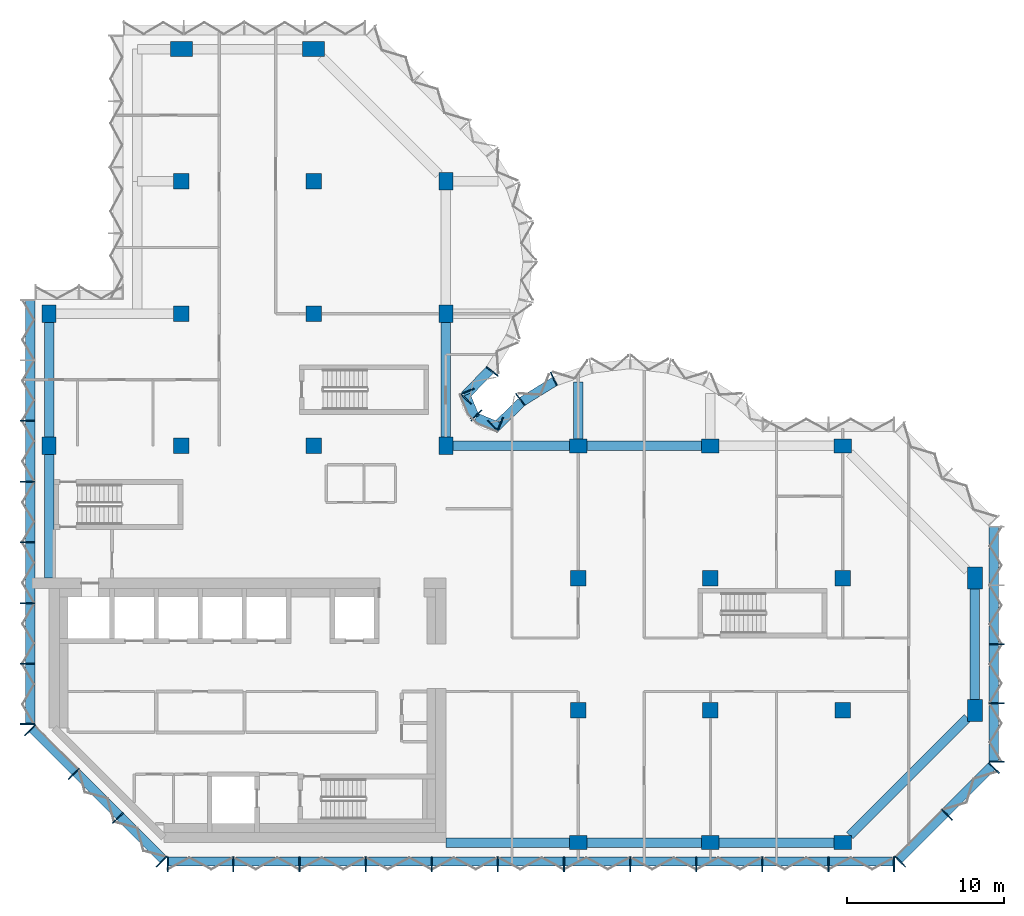
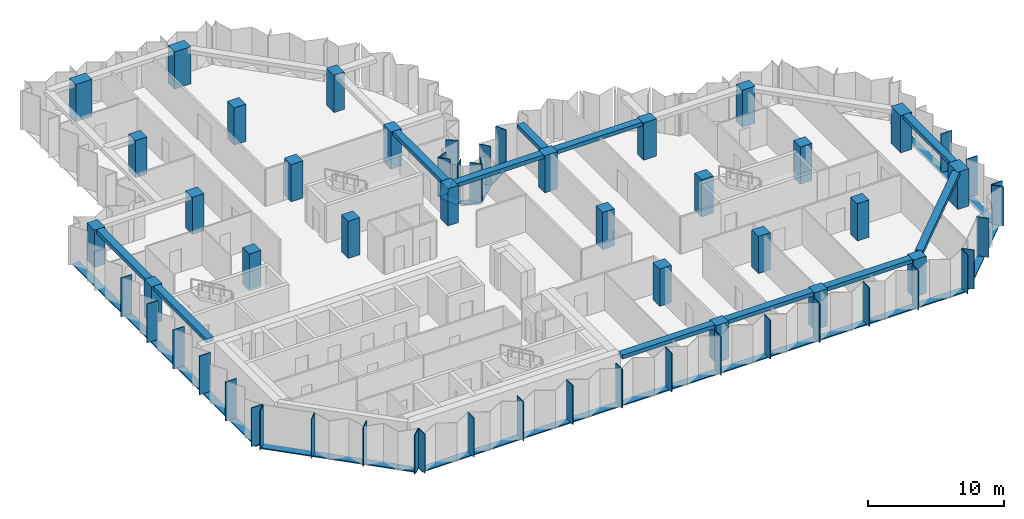
# One storey, part 1 of 10: 46 members, 27 columns, 11 beams, 8 elements without a shape of their own.
"""IFC4 building model written with IfcOpenShell, lengths in metres."""

from ifc_helpers import new_model, si_unit, direction, frame, origin, origin_2d, place, context, subcontext, project, spatial, rectangle, extrude, material, material_profile, profile_set, type_object, element, aggregate, save


model = new_model("IFC4")

# Units and contexts
model_context = context("Model", 3, precision=1e-05, world=origin(), true_north=direction((0.0, 1.0)))
body_context = subcontext(model_context, "Body", "Model", "MODEL_VIEW")
ifc_project = project(units=[si_unit("LENGTHUNIT", "METRE"), si_unit("AREAUNIT", "SQUARE_METRE"), si_unit("VOLUMEUNIT", "CUBIC_METRE"), si_unit("PLANEANGLEUNIT", "RADIAN"), si_unit("MASSUNIT", "GRAM", prefix="KILO")], contexts=[model_context])

# Site, building, storey
site_placement = place(None, origin())
site = spatial("IfcSite", under=ifc_project, at=site_placement, CompositionType="ELEMENT")
building_placement = place(site_placement, origin())
building = spatial("IfcBuilding", under=site, at=building_placement, Name="Brevane Broadcast Tower", CompositionType="ELEMENT")
storey_placement = place(building_placement, frame((0.0, 0.0, 170.39990234375)))
storey = spatial("IfcBuildingStorey", under=building, at=storey_placement, Name="L42", CompositionType="ELEMENT", Elevation=170.39990234375)

# Columns
ifc_material_1 = material(Name="Concrete C60/75", Category="concrete")
ifc_material_profile_1 = material_profile(ifc_material_1, rectangle(XDim=0.89990234375, YDim=1.10009765625, at=origin_2d()), Name="RC 900x1100")
ifc_profile_set_1 = profile_set([ifc_material_profile_1], Name="Concrete C60/75")
column_type_1 = type_object("IfcColumnType", Name="RC COLUMN EDGE 900x1100 C60/75", PredefinedType="COLUMN", material=ifc_profile_set_1)
for number, where, z_axis, x_axis, name in (
    (1, (0.0, 25.199951171875, 0.0), (0.0, 0.0, 1.0), (1.0, 0.0, 0.0), "CE11 1/D"),
    (2, (0.0, 33.60009765625, 0.0), (0.0, 0.0, 1.0), (1.0, 0.0, 0.0), "CE11 1/E"),
    (3, (25.199951171875, 25.199951171875, 0.0), (0.0, 0.0, 1.0), (1.0, 0.0, 0.0), "CE11 4/D"),
    (4, (25.199951171875, 33.60009765625, 0.0), (0.0, 0.0, 1.0), (1.0, 0.0, 0.0), "CE11 4/E"),
    (5, (25.199951171875, 42.0, 0.0), (0.0, 0.0, 1.0), (1.0, 0.0, 0.0), "CE11 4/F"),
    (6, (33.60009765625, 0.0, 0.0), (0.0, 0.0, 1.0), (0.0, 1.0, 0.0), "CE11 5/A"),
    (7, (33.60009765625, 25.199951171875, 0.0), (0.0, 0.0, 1.0), (0.0, 1.0, 0.0), "CE11 5/D"),
    (8, (42.0, 0.0, 0.0), (0.0, 0.0, 1.0), (0.0, 1.0, 0.0), "CE11 6/A"),
    (9, (42.0, 25.199951171875, 0.0), (0.0, 0.0, 1.0), (0.0, 1.0, 0.0), "CE11 6/D"),
    (10, (50.39990234375, 0.0, 0.0), (0.0, 0.0, 1.0), (0.0, 1.0, 0.0), "CE11 7/A"),
    (11, (50.39990234375, 25.199951171875, 0.0), (0.0, 0.0, 1.0), (0.0, 1.0, 0.0), "CE11 7/D"),
):
    element("IfcColumn", number, at=place(storey_placement, frame(where, z_axis=z_axis, x_axis=x_axis)), inside=storey, type_object=column_type_1, Name=name, PredefinedType="COLUMN", context=body_context, shape_type="SweptSolid", body=[
        extrude(rectangle(XDim=0.89990234375, YDim=1.10009765625, at=origin_2d()), origin(), (0.0, 0.0, 1.0), 3.35009765625),
    ])
ifc_material_profile_2 = material_profile(ifc_material_1, rectangle(XDim=1.0, YDim=1.0, at=origin_2d()), Name="RC 1000x1000")
ifc_profile_set_2 = profile_set([ifc_material_profile_2], Name="Concrete C60/75")
column_type_2 = type_object("IfcColumnType", Name="RC COLUMN INTERIOR 1000x1000 C60/75", PredefinedType="COLUMN", material=ifc_profile_set_2)
for number, where, z_axis, x_axis, name in (
    (12, (8.39990234375, 25.199951171875, 0.0), (0.0, 0.0, 1.0), (1.0, 0.0, 0.0), "CI12 2/D"),
    (13, (8.39990234375, 33.60009765625, 0.0), (0.0, 0.0, 1.0), (1.0, 0.0, 0.0), "CI12 2/E"),
    (14, (8.39990234375, 42.0, 0.0), (0.0, 0.0, 1.0), (1.0, 0.0, 0.0), "CI12 2/F"),
    (15, (16.800048828125, 25.199951171875, 0.0), (0.0, 0.0, 1.0), (1.0, 0.0, 0.0), "CI12 3/D"),
    (16, (16.800048828125, 33.60009765625, 0.0), (0.0, 0.0, 1.0), (1.0, 0.0, 0.0), "CI12 3/E"),
    (17, (16.800048828125, 42.0, 0.0), (0.0, 0.0, 1.0), (1.0, 0.0, 0.0), "CI12 3/F"),
    (18, (33.60009765625, 8.39990234375, 0.0), (0.0, 0.0, 1.0), (1.0, 0.0, 0.0), "CI12 5/B"),
    (19, (33.60009765625, 16.800048828125, 0.0), (0.0, 0.0, 1.0), (1.0, 0.0, 0.0), "CI12 5/C"),
    (20, (42.0, 8.39990234375, 0.0), (0.0, 0.0, 1.0), (1.0, 0.0, 0.0), "CI12 6/B"),
    (21, (42.0, 16.800048828125, 0.0), (0.0, 0.0, 1.0), (1.0, 0.0, 0.0), "CI12 6/C"),
    (22, (50.39990234375, 8.39990234375, 0.0), (0.0, 0.0, 1.0), (1.0, 0.0, 0.0), "CI12 7/B"),
    (23, (50.39990234375, 16.800048828125, 0.0), (0.0, 0.0, 1.0), (1.0, 0.0, 0.0), "CI12 7/C"),
):
    element("IfcColumn", number, at=place(storey_placement, frame(where, z_axis=z_axis, x_axis=x_axis)), inside=storey, type_object=column_type_2, Name=name, PredefinedType="COLUMN", context=body_context, shape_type="SweptSolid", body=[
        extrude(rectangle(XDim=1.0, YDim=1.0, at=origin_2d()), origin(), (0.0, 0.0, 1.0), 3.35009765625),
    ])
ifc_material_profile_3 = material_profile(ifc_material_1, rectangle(XDim=0.949951171875, YDim=1.39990234375, at=origin_2d()), Name="RC 950x1400")
ifc_profile_set_3 = profile_set([ifc_material_profile_3], Name="Concrete C60/75")
column_type_3 = type_object("IfcColumnType", Name="RC COLUMN WING-END 950x1400 C60/75", PredefinedType="COLUMN", material=ifc_profile_set_3)
for number, where, z_axis, x_axis, name in (
    (24, (8.39990234375, 50.39990234375, 0.0), (0.0, 0.0, 1.0), (0.0, 1.0, 0.0), "CW13 2/G"),
    (25, (16.800048828125, 50.39990234375, 0.0), (0.0, 0.0, 1.0), (0.0, 1.0, 0.0), "CW13 3/G"),
    (26, (58.800048828125, 8.39990234375, 0.0), (0.0, 0.0, 1.0), (1.0, 0.0, 0.0), "CW13 8/B"),
    (27, (58.800048828125, 16.800048828125, 0.0), (0.0, 0.0, 1.0), (1.0, 0.0, 0.0), "CW13 8/C"),
):
    element("IfcColumn", number, at=place(storey_placement, frame(where, z_axis=z_axis, x_axis=x_axis)), inside=storey, type_object=column_type_3, Name=name, PredefinedType="COLUMN", context=body_context, shape_type="SweptSolid", body=[
        extrude(rectangle(XDim=0.949951171875, YDim=1.39990234375, at=origin_2d()), origin(), (0.0, 0.0, 1.0), 3.35009765625),
    ])

# Curtain wall, members
ifc_material_2 = material(Name="Aluminium 6063-T6 bronze anodised", Category="aluminium")
curtain_wall_type = type_object("IfcCurtainWallType", Name="CW-1 curtain wall", PredefinedType="NOTDEFINED", material=ifc_material_2)
curtain_wall_1_placement = place(storey_placement, origin())
curtain_wall_1 = element("IfcCurtainWall", 28, at=curtain_wall_1_placement, inside=storey, type_object=curtain_wall_type, Name="CW-1 typical tilted unit L42 south face", PredefinedType="NOTDEFINED")
ifc_material_profile_4 = material_profile(ifc_material_2, rectangle(XDim=0.949951171875, YDim=0.070068359375, at=origin_2d()), Name="RECT 70x950")
ifc_profile_set_4 = profile_set([ifc_material_profile_4], Name="Aluminium 6063-T6 bronze anodised")
member_type_1 = type_object("IfcMemberType", Name="CW-1 mullion 70x950", PredefinedType="MULLION", material=ifc_profile_set_4)
member_1_placement = place(storey_placement, frame((7.534912109375, -1.375, -0.14990234375), z_axis=(0.0, 0.0, 1.0), x_axis=(0.0, 1.0, 0.0)))
member_1 = element("IfcMember", 29, at=member_1_placement, type_object=member_type_1, Name="CW-1 mullion", PredefinedType="MULLION", context=body_context, shape_type="SweptSolid", body=[
    extrude(rectangle(XDim=0.949951171875, YDim=0.070068359375, at=origin_2d()), origin(), (0.0, 0.0, 1.0), 3.5),
])
member_2_placement = place(storey_placement, frame((11.699951171875, -1.375, -0.14990234375), z_axis=(0.0, 0.0, 1.0), x_axis=(0.0, 1.0, 0.0)))
member_2 = element("IfcMember", 30, at=member_2_placement, type_object=member_type_1, Name="CW-1 mullion", PredefinedType="MULLION", context=body_context, shape_type="SweptSolid", body=[
    extrude(rectangle(XDim=0.949951171875, YDim=0.070068359375, at=origin_2d()), origin(), (0.0, 0.0, 1.0), 3.5),
])
member_3_placement = place(storey_placement, frame((15.89990234375, -1.375, -0.14990234375), z_axis=(0.0, 0.0, 1.0), x_axis=(0.0, 1.0, 0.0)))
member_3 = element("IfcMember", 31, at=member_3_placement, type_object=member_type_1, Name="CW-1 mullion", PredefinedType="MULLION", context=body_context, shape_type="SweptSolid", body=[
    extrude(rectangle(XDim=0.949951171875, YDim=0.070068359375, at=origin_2d()), origin(), (0.0, 0.0, 1.0), 3.5),
])
member_4_placement = place(storey_placement, frame((20.10009765625, -1.375, -0.14990234375), z_axis=(0.0, 0.0, 1.0), x_axis=(0.0, 1.0, 0.0)))
member_4 = element("IfcMember", 32, at=member_4_placement, type_object=member_type_1, Name="CW-1 mullion", PredefinedType="MULLION", context=body_context, shape_type="SweptSolid", body=[
    extrude(rectangle(XDim=0.949951171875, YDim=0.070068359375, at=origin_2d()), origin(), (0.0, 0.0, 1.0), 3.5),
])
member_5_placement = place(storey_placement, frame((24.300048828125, -1.375, -0.14990234375), z_axis=(0.0, 0.0, 1.0), x_axis=(0.0, 1.0, 0.0)))
member_5 = element("IfcMember", 33, at=member_5_placement, type_object=member_type_1, Name="CW-1 mullion", PredefinedType="MULLION", context=body_context, shape_type="SweptSolid", body=[
    extrude(rectangle(XDim=0.949951171875, YDim=0.070068359375, at=origin_2d()), origin(), (0.0, 0.0, 1.0), 3.5),
])
member_6_placement = place(storey_placement, frame((28.5, -1.375, -0.14990234375), z_axis=(0.0, 0.0, 1.0), x_axis=(0.0, 1.0, 0.0)))
member_6 = element("IfcMember", 34, at=member_6_placement, type_object=member_type_1, Name="CW-1 mullion", PredefinedType="MULLION", context=body_context, shape_type="SweptSolid", body=[
    extrude(rectangle(XDim=0.949951171875, YDim=0.070068359375, at=origin_2d()), origin(), (0.0, 0.0, 1.0), 3.5),
])
member_7_placement = place(storey_placement, frame((32.699951171875, -1.375, -0.14990234375), z_axis=(0.0, 0.0, 1.0), x_axis=(0.0, 1.0, 0.0)))
member_7 = element("IfcMember", 35, at=member_7_placement, type_object=member_type_1, Name="CW-1 mullion", PredefinedType="MULLION", context=body_context, shape_type="SweptSolid", body=[
    extrude(rectangle(XDim=0.949951171875, YDim=0.070068359375, at=origin_2d()), origin(), (0.0, 0.0, 1.0), 3.5),
])
member_8_placement = place(storey_placement, frame((36.89990234375, -1.375, -0.14990234375), z_axis=(0.0, 0.0, 1.0), x_axis=(0.0, 1.0, 0.0)))
member_8 = element("IfcMember", 36, at=member_8_placement, type_object=member_type_1, Name="CW-1 mullion", PredefinedType="MULLION", context=body_context, shape_type="SweptSolid", body=[
    extrude(rectangle(XDim=0.949951171875, YDim=0.070068359375, at=origin_2d()), origin(), (0.0, 0.0, 1.0), 3.5),
])
member_9_placement = place(storey_placement, frame((41.10009765625, -1.375, -0.14990234375), z_axis=(0.0, 0.0, 1.0), x_axis=(0.0, 1.0, 0.0)))
member_9 = element("IfcMember", 37, at=member_9_placement, type_object=member_type_1, Name="CW-1 mullion", PredefinedType="MULLION", context=body_context, shape_type="SweptSolid", body=[
    extrude(rectangle(XDim=0.949951171875, YDim=0.070068359375, at=origin_2d()), origin(), (0.0, 0.0, 1.0), 3.5),
])
member_10_placement = place(storey_placement, frame((45.300048828125, -1.375, -0.14990234375), z_axis=(0.0, 0.0, 1.0), x_axis=(0.0, 1.0, 0.0)))
member_10 = element("IfcMember", 38, at=member_10_placement, type_object=member_type_1, Name="CW-1 mullion", PredefinedType="MULLION", context=body_context, shape_type="SweptSolid", body=[
    extrude(rectangle(XDim=0.949951171875, YDim=0.070068359375, at=origin_2d()), origin(), (0.0, 0.0, 1.0), 3.5),
])
member_11_placement = place(storey_placement, frame((49.5, -1.375, -0.14990234375), z_axis=(0.0, 0.0, 1.0), x_axis=(0.0, 1.0, 0.0)))
member_11 = element("IfcMember", 39, at=member_11_placement, type_object=member_type_1, Name="CW-1 mullion", PredefinedType="MULLION", context=body_context, shape_type="SweptSolid", body=[
    extrude(rectangle(XDim=0.949951171875, YDim=0.070068359375, at=origin_2d()), origin(), (0.0, 0.0, 1.0), 3.5),
])
member_12_placement = place(storey_placement, frame((53.6650390625, -1.375, -0.14990234375), z_axis=(0.0, 0.0, 1.0), x_axis=(0.0, 1.0, 0.0)))
member_12 = element("IfcMember", 40, at=member_12_placement, type_object=member_type_1, Name="CW-1 mullion", PredefinedType="MULLION", context=body_context, shape_type="SweptSolid", body=[
    extrude(rectangle(XDim=0.949951171875, YDim=0.070068359375, at=origin_2d()), origin(), (0.0, 0.0, 1.0), 3.5),
])

curtain_wall_2_placement = place(storey_placement, origin())
curtain_wall_2 = element("IfcCurtainWall", 41, at=curtain_wall_2_placement, inside=storey, type_object=curtain_wall_type, Name="CW-1 typical tilted unit L42 south-east chamfer", PredefinedType="NOTDEFINED")
member_13_placement = place(storey_placement, frame((54.060546875, -1.211181640625, -0.14990234375), z_axis=(0.0, 0.0, 1.0), x_axis=(-0.707106781187, 0.707106781187, 0.0)))
member_13 = element("IfcMember", 42, at=member_13_placement, type_object=member_type_1, Name="CW-1 mullion", PredefinedType="MULLION", context=body_context, shape_type="SweptSolid", body=[
    extrude(rectangle(XDim=0.949951171875, YDim=0.070068359375, at=origin_2d()), origin(), (0.0, 0.0, 1.0), 3.5),
])
member_14_placement = place(storey_placement, frame((57.035888671875, 1.76416015625, -0.14990234375), z_axis=(0.0, 0.0, 1.0), x_axis=(-0.707106781187, 0.707106781187, 0.0)))
member_14 = element("IfcMember", 43, at=member_14_placement, type_object=member_type_1, Name="CW-1 mullion", PredefinedType="MULLION", context=body_context, shape_type="SweptSolid", body=[
    extrude(rectangle(XDim=0.949951171875, YDim=0.070068359375, at=origin_2d()), origin(), (0.0, 0.0, 1.0), 3.5),
])
member_15_placement = place(storey_placement, frame((60.01123046875, 4.7392578125, -0.14990234375), z_axis=(0.0, 0.0, 1.0), x_axis=(-0.707106781187, 0.707106781187, 0.0)))
member_15 = element("IfcMember", 44, at=member_15_placement, type_object=member_type_1, Name="CW-1 mullion", PredefinedType="MULLION", context=body_context, shape_type="SweptSolid", body=[
    extrude(rectangle(XDim=0.949951171875, YDim=0.070068359375, at=origin_2d()), origin(), (0.0, 0.0, 1.0), 3.5),
])

curtain_wall_3_placement = place(storey_placement, origin())
curtain_wall_3 = element("IfcCurtainWall", 45, at=curtain_wall_3_placement, inside=storey, type_object=curtain_wall_type, Name="CW-1 typical tilted unit L42 east end", PredefinedType="NOTDEFINED")
member_16_placement = place(storey_placement, frame((60.175048828125, 5.135009765625, -0.14990234375), z_axis=(0.0, 0.0, 1.0), x_axis=(-1.0, 0.0, 0.0)))
member_16 = element("IfcMember", 46, at=member_16_placement, type_object=member_type_1, Name="CW-1 mullion", PredefinedType="MULLION", context=body_context, shape_type="SweptSolid", body=[
    extrude(rectangle(XDim=0.949951171875, YDim=0.070068359375, at=origin_2d()), origin(), (0.0, 0.0, 1.0), 3.5),
])
member_17_placement = place(storey_placement, frame((60.175048828125, 8.85009765625, -0.14990234375), z_axis=(0.0, 0.0, 1.0), x_axis=(-1.0, 0.0, 0.0)))
member_17 = element("IfcMember", 47, at=member_17_placement, type_object=member_type_1, Name="CW-1 mullion", PredefinedType="MULLION", context=body_context, shape_type="SweptSolid", body=[
    extrude(rectangle(XDim=0.949951171875, YDim=0.070068359375, at=origin_2d()), origin(), (0.0, 0.0, 1.0), 3.5),
])
member_18_placement = place(storey_placement, frame((60.175048828125, 12.60009765625, -0.14990234375), z_axis=(0.0, 0.0, 1.0), x_axis=(-1.0, 0.0, 0.0)))
member_18 = element("IfcMember", 48, at=member_18_placement, type_object=member_type_1, Name="CW-1 mullion", PredefinedType="MULLION", context=body_context, shape_type="SweptSolid", body=[
    extrude(rectangle(XDim=0.949951171875, YDim=0.070068359375, at=origin_2d()), origin(), (0.0, 0.0, 1.0), 3.5),
])

curtain_wall_4_placement = place(storey_placement, origin())
curtain_wall_4 = element("IfcCurtainWall", 49, at=curtain_wall_4_placement, inside=storey, type_object=curtain_wall_type, Name="CW-1 typical tilted unit L42 east bow", PredefinedType="NOTDEFINED")
member_19_placement = place(storey_placement, frame((32.05322265625, 29.4580078125, -0.14990234375), z_axis=(0.0, 0.0, 1.0), x_axis=(0.429933580394, -0.902860518823, 0.0)))
member_19 = element("IfcMember", 50, at=member_19_placement, type_object=member_type_1, Name="CW-1 mullion", PredefinedType="MULLION", context=body_context, shape_type="SweptSolid", body=[
    extrude(rectangle(XDim=0.949951171875, YDim=0.070068359375, at=origin_2d()), origin(), (0.0, 0.0, 1.0), 3.5),
])
member_20_placement = place(storey_placement, frame((29.927978515625, 28.1455078125, -0.14990234375), z_axis=(0.0, 0.0, 1.0), x_axis=(0.614769698862, -0.788706673841, 0.0)))
member_20 = element("IfcMember", 51, at=member_20_placement, type_object=member_type_1, Name="CW-1 mullion", PredefinedType="MULLION", context=body_context, shape_type="SweptSolid", body=[
    extrude(rectangle(XDim=0.949951171875, YDim=0.070068359375, at=origin_2d()), origin(), (0.0, 0.0, 1.0), 3.5),
])
member_21_placement = place(storey_placement, frame((28.194091796875, 26.465087890625, -0.14990234375), z_axis=(0.0, 0.0, 1.0), x_axis=(0.696812089895, -0.717253728729, 0.0)))
member_21 = element("IfcMember", 52, at=member_21_placement, type_object=member_type_1, Name="CW-1 mullion", PredefinedType="MULLION", context=body_context, shape_type="SweptSolid", body=[
    extrude(rectangle(XDim=0.949951171875, YDim=0.070068359375, at=origin_2d()), origin(), (0.0, 0.0, 1.0), 3.5),
])

curtain_wall_5_placement = place(storey_placement, origin())
curtain_wall_5 = element("IfcCurtainWall", 53, at=curtain_wall_5_placement, inside=storey, type_object=curtain_wall_type, Name="CW-1 typical tilted unit L42 inner corner", PredefinedType="NOTDEFINED")
member_22_placement = place(storey_placement, frame((28.6494140625, 26.55224609375, -0.14990234375), z_axis=(0.0, 0.0, 1.0), x_axis=(-0.382683432365, -0.923879532511, 0.0)))
member_22 = element("IfcMember", 54, at=member_22_placement, type_object=member_type_1, Name="CW-1 mullion", PredefinedType="MULLION", context=body_context, shape_type="SweptSolid", body=[
    extrude(rectangle(XDim=0.949951171875, YDim=0.070068359375, at=origin_2d()), origin(), (0.0, 0.0, 1.0), 3.5),
])
member_23_placement = place(storey_placement, frame((27.138916015625, 27.138916015625, -0.14990234375), z_axis=(0.0, 0.0, 1.0), x_axis=(-0.707106781187, -0.707106781187, 0.0)))
member_23 = element("IfcMember", 55, at=member_23_placement, type_object=member_type_1, Name="CW-1 mullion", PredefinedType="MULLION", context=body_context, shape_type="SweptSolid", body=[
    extrude(rectangle(XDim=0.949951171875, YDim=0.070068359375, at=origin_2d()), origin(), (0.0, 0.0, 1.0), 3.5),
])
member_24_placement = place(storey_placement, frame((26.55224609375, 28.6494140625, -0.14990234375), z_axis=(0.0, 0.0, 1.0), x_axis=(-0.923879532511, -0.382683432365, 0.0)))
member_24 = element("IfcMember", 56, at=member_24_placement, type_object=member_type_1, Name="CW-1 mullion", PredefinedType="MULLION", context=body_context, shape_type="SweptSolid", body=[
    extrude(rectangle(XDim=0.949951171875, YDim=0.070068359375, at=origin_2d()), origin(), (0.0, 0.0, 1.0), 3.5),
])

curtain_wall_6_placement = place(storey_placement, origin())
curtain_wall_6 = element("IfcCurtainWall", 57, at=curtain_wall_6_placement, inside=storey, type_object=curtain_wall_type, Name="CW-1 typical tilted unit L42 north bow", PredefinedType="NOTDEFINED")
member_25_placement = place(storey_placement, frame((26.465087890625, 28.194091796875, -0.14990234375), z_axis=(0.0, 0.0, 1.0), x_axis=(-0.717253728729, 0.696812089895, 0.0)))
member_25 = element("IfcMember", 58, at=member_25_placement, type_object=member_type_1, Name="CW-1 mullion", PredefinedType="MULLION", context=body_context, shape_type="SweptSolid", body=[
    extrude(rectangle(XDim=0.949951171875, YDim=0.070068359375, at=origin_2d()), origin(), (0.0, 0.0, 1.0), 3.5),
])
member_26_placement = place(storey_placement, frame((28.1455078125, 29.927978515625, -0.14990234375), z_axis=(0.0, 0.0, 1.0), x_axis=(-0.788706673841, 0.614769698862, 0.0)))
member_26 = element("IfcMember", 59, at=member_26_placement, type_object=member_type_1, Name="CW-1 mullion", PredefinedType="MULLION", context=body_context, shape_type="SweptSolid", body=[
    extrude(rectangle(XDim=0.949951171875, YDim=0.070068359375, at=origin_2d()), origin(), (0.0, 0.0, 1.0), 3.5),
])

curtain_wall_7_placement = place(storey_placement, origin())
curtain_wall_7 = element("IfcCurtainWall", 60, at=curtain_wall_7_placement, inside=storey, type_object=curtain_wall_type, Name="CW-1 typical tilted unit L42 west face", PredefinedType="NOTDEFINED")
member_27_placement = place(storey_placement, frame((-1.375, 26.78564453125, -0.14990234375), z_axis=(0.0, 0.0, 1.0), x_axis=(1.0, 0.0, 0.0)))
member_27 = element("IfcMember", 61, at=member_27_placement, type_object=member_type_1, Name="CW-1 mullion", PredefinedType="MULLION", context=body_context, shape_type="SweptSolid", body=[
    extrude(rectangle(XDim=0.949951171875, YDim=0.070068359375, at=origin_2d()), origin(), (0.0, 0.0, 1.0), 3.5),
])
member_28_placement = place(storey_placement, frame((-1.375, 22.928466796875, -0.14990234375), z_axis=(0.0, 0.0, 1.0), x_axis=(1.0, 0.0, 0.0)))
member_28 = element("IfcMember", 62, at=member_28_placement, type_object=member_type_1, Name="CW-1 mullion", PredefinedType="MULLION", context=body_context, shape_type="SweptSolid", body=[
    extrude(rectangle(XDim=0.949951171875, YDim=0.070068359375, at=origin_2d()), origin(), (0.0, 0.0, 1.0), 3.5),
])
member_29_placement = place(storey_placement, frame((-1.375, 19.071533203125, -0.14990234375), z_axis=(0.0, 0.0, 1.0), x_axis=(1.0, 0.0, 0.0)))
member_29 = element("IfcMember", 63, at=member_29_placement, type_object=member_type_1, Name="CW-1 mullion", PredefinedType="MULLION", context=body_context, shape_type="SweptSolid", body=[
    extrude(rectangle(XDim=0.949951171875, YDim=0.070068359375, at=origin_2d()), origin(), (0.0, 0.0, 1.0), 3.5),
])
member_30_placement = place(storey_placement, frame((-1.375, 15.21435546875, -0.14990234375), z_axis=(0.0, 0.0, 1.0), x_axis=(1.0, 0.0, 0.0)))
member_30 = element("IfcMember", 64, at=member_30_placement, type_object=member_type_1, Name="CW-1 mullion", PredefinedType="MULLION", context=body_context, shape_type="SweptSolid", body=[
    extrude(rectangle(XDim=0.949951171875, YDim=0.070068359375, at=origin_2d()), origin(), (0.0, 0.0, 1.0), 3.5),
])
member_31_placement = place(storey_placement, frame((-1.375, 11.357177734375, -0.14990234375), z_axis=(0.0, 0.0, 1.0), x_axis=(1.0, 0.0, 0.0)))
member_31 = element("IfcMember", 65, at=member_31_placement, type_object=member_type_1, Name="CW-1 mullion", PredefinedType="MULLION", context=body_context, shape_type="SweptSolid", body=[
    extrude(rectangle(XDim=0.949951171875, YDim=0.070068359375, at=origin_2d()), origin(), (0.0, 0.0, 1.0), 3.5),
])
member_32_placement = place(storey_placement, frame((-1.375, 7.534912109375, -0.14990234375), z_axis=(0.0, 0.0, 1.0), x_axis=(1.0, 0.0, 0.0)))
member_32 = element("IfcMember", 66, at=member_32_placement, type_object=member_type_1, Name="CW-1 mullion", PredefinedType="MULLION", context=body_context, shape_type="SweptSolid", body=[
    extrude(rectangle(XDim=0.949951171875, YDim=0.070068359375, at=origin_2d()), origin(), (0.0, 0.0, 1.0), 3.5),
])

curtain_wall_8_placement = place(storey_placement, origin())
curtain_wall_8 = element("IfcCurtainWall", 67, at=curtain_wall_8_placement, inside=storey, type_object=curtain_wall_type, Name="CW-1 typical tilted unit L42 south-west chamfer", PredefinedType="NOTDEFINED")
member_33_placement = place(storey_placement, frame((-1.211181640625, 7.139404296875, -0.14990234375), z_axis=(0.0, 0.0, 1.0), x_axis=(0.707106781187, 0.707106781187, 0.0)))
member_33 = element("IfcMember", 68, at=member_33_placement, type_object=member_type_1, Name="CW-1 mullion", PredefinedType="MULLION", context=body_context, shape_type="SweptSolid", body=[
    extrude(rectangle(XDim=0.949951171875, YDim=0.070068359375, at=origin_2d()), origin(), (0.0, 0.0, 1.0), 3.5),
])
member_34_placement = place(storey_placement, frame((1.564208984375, 4.364013671875, -0.14990234375), z_axis=(0.0, 0.0, 1.0), x_axis=(0.707106781187, 0.707106781187, 0.0)))
member_34 = element("IfcMember", 69, at=member_34_placement, type_object=member_type_1, Name="CW-1 mullion", PredefinedType="MULLION", context=body_context, shape_type="SweptSolid", body=[
    extrude(rectangle(XDim=0.949951171875, YDim=0.070068359375, at=origin_2d()), origin(), (0.0, 0.0, 1.0), 3.5),
])
member_35_placement = place(storey_placement, frame((4.364013671875, 1.564208984375, -0.14990234375), z_axis=(0.0, 0.0, 1.0), x_axis=(0.707106781187, 0.707106781187, 0.0)))
member_35 = element("IfcMember", 70, at=member_35_placement, type_object=member_type_1, Name="CW-1 mullion", PredefinedType="MULLION", context=body_context, shape_type="SweptSolid", body=[
    extrude(rectangle(XDim=0.949951171875, YDim=0.070068359375, at=origin_2d()), origin(), (0.0, 0.0, 1.0), 3.5),
])
member_36_placement = place(storey_placement, frame((7.139404296875, -1.211181640625, -0.14990234375), z_axis=(0.0, 0.0, 1.0), x_axis=(0.707106781187, 0.707106781187, 0.0)))
member_36 = element("IfcMember", 71, at=member_36_placement, type_object=member_type_1, Name="CW-1 mullion", PredefinedType="MULLION", context=body_context, shape_type="SweptSolid", body=[
    extrude(rectangle(XDim=0.949951171875, YDim=0.070068359375, at=origin_2d()), origin(), (0.0, 0.0, 1.0), 3.5),
])

# Member
ifc_material_profile_5 = material_profile(ifc_material_2, rectangle(XDim=0.60009765625, YDim=0.10009765625, at=origin_2d()), Name="RECT 100x600")
ifc_profile_set_5 = profile_set([ifc_material_profile_5], Name="Aluminium 6063-T6 bronze anodised")
member_type_2 = type_object("IfcMemberType", Name="CW-1 transom 100x600", PredefinedType="USERDEFINED", material=ifc_profile_set_5)
member_37_placement = place(storey_placement, frame((7.5, -1.199951171875, -0.199951171875), z_axis=(1.0, 0.0, 0.0), x_axis=(0.0, 1.0, 0.0)))
member_37 = element("IfcMember", 72, at=member_37_placement, type_object=member_type_2, Name="CW-1 transom", ObjectType="TRANSOM", PredefinedType="USERDEFINED", context=body_context, shape_type="SweptSolid", body=[
    extrude(rectangle(XDim=0.60009765625, YDim=0.10009765625, at=origin_2d()), origin(), (0.0, 0.0, 1.0), 46.199951171875),
])

aggregate(curtain_wall_1, [member_1, member_2, member_3, member_4, member_5, member_6, member_7, member_8, member_9, member_10, member_11, member_12, member_37])

member_38_placement = place(storey_placement, frame((53.912109375, -1.112060546875, -0.199951171875), z_axis=(0.707106781187, 0.707106781187, 0.0), x_axis=(-0.707106781187, 0.707106781187, 0.0)))
member_38 = element("IfcMember", 73, at=member_38_placement, type_object=member_type_2, Name="CW-1 transom", ObjectType="TRANSOM", PredefinedType="USERDEFINED", context=body_context, shape_type="SweptSolid", body=[
    extrude(rectangle(XDim=0.60009765625, YDim=0.10009765625, at=origin_2d()), origin(), (0.0, 0.0, 1.0), 8.4853515625),
])

aggregate(curtain_wall_2, [member_13, member_14, member_15, member_38])

member_39_placement = place(storey_placement, frame((60.0, 5.10009765625, -0.199951171875), z_axis=(0.0, 1.0, 0.0), x_axis=(-1.0, 0.0, 0.0)))
member_39 = element("IfcMember", 74, at=member_39_placement, type_object=member_type_2, Name="CW-1 transom", ObjectType="TRANSOM", PredefinedType="USERDEFINED", context=body_context, shape_type="SweptSolid", body=[
    extrude(rectangle(XDim=0.60009765625, YDim=0.10009765625, at=origin_2d()), origin(), (0.0, 0.0, 1.0), 15.0),
])

aggregate(curtain_wall_3, [member_16, member_17, member_18, member_39])

member_40_placement = place(storey_placement, frame((32.09521484375, 29.281494140625, -0.199951171875), z_axis=(-0.850838211365, -0.525427766759, 0.0), x_axis=(0.525427766759, -0.850838211365, 0.0)))
member_40 = element("IfcMember", 75, at=member_40_placement, type_object=member_type_2, Name="CW-1 transom", ObjectType="TRANSOM", PredefinedType="USERDEFINED", context=body_context, shape_type="SweptSolid", body=[
    extrude(rectangle(XDim=0.60009765625, YDim=0.10009765625, at=origin_2d()), origin(), (0.0, 0.0, 1.0), 2.394775390625),
])

member_41_placement = place(storey_placement, frame((29.99951171875, 27.974365234375, -0.199951171875), z_axis=(-0.71724215871, -0.696823999134, 0.0), x_axis=(0.696823999134, -0.71724215871, 0.0)))
member_41 = element("IfcMember", 76, at=member_41_placement, type_object=member_type_2, Name="CW-1 transom", ObjectType="TRANSOM", PredefinedType="USERDEFINED", context=body_context, shape_type="SweptSolid", body=[
    extrude(rectangle(XDim=0.60009765625, YDim=0.10009765625, at=origin_2d()), origin(), (0.0, 0.0, 1.0), 2.247802734375),
])

aggregate(curtain_wall_4, [member_19, member_20, member_21, member_40, member_41])

member_42_placement = place(storey_placement, frame((28.528076171875, 26.40673828125, -0.199951171875), z_axis=(-0.923883243627, 0.382674472816, 0.0), x_axis=(-0.382674472816, -0.923883243627, 0.0)))
member_42 = element("IfcMember", 77, at=member_42_placement, type_object=member_type_2, Name="CW-1 transom", ObjectType="TRANSOM", PredefinedType="USERDEFINED", context=body_context, shape_type="SweptSolid", body=[
    extrude(rectangle(XDim=0.60009765625, YDim=0.10009765625, at=origin_2d()), origin(), (0.0, 0.0, 1.0), 1.536865234375),
])

member_43_placement = place(storey_placement, frame((27.039794921875, 27.0, -0.199951171875), z_axis=(-0.382674472816, 0.923883243627, 0.0), x_axis=(-0.923883243627, -0.382674472816, 0.0)))
member_43 = element("IfcMember", 78, at=member_43_placement, type_object=member_type_2, Name="CW-1 transom", ObjectType="TRANSOM", PredefinedType="USERDEFINED", context=body_context, shape_type="SweptSolid", body=[
    extrude(rectangle(XDim=0.60009765625, YDim=0.10009765625, at=origin_2d()), origin(), (0.0, 0.0, 1.0), 1.536865234375),
])

aggregate(curtain_wall_5, [member_22, member_23, member_24, member_42, member_43])

member_44_placement = place(storey_placement, frame((26.407958984375, 28.38720703125, -0.199951171875), z_axis=(0.696823999134, 0.71724215871, 0.0), x_axis=(-0.71724215871, 0.696823999134, 0.0)))
member_44 = element("IfcMember", 79, at=member_44_placement, type_object=member_type_2, Name="CW-1 transom", ObjectType="TRANSOM", PredefinedType="USERDEFINED", context=body_context, shape_type="SweptSolid", body=[
    extrude(rectangle(XDim=0.60009765625, YDim=0.10009765625, at=origin_2d()), origin(), (0.0, 0.0, 1.0), 2.247802734375),
])

aggregate(curtain_wall_6, [member_25, member_26, member_44])

member_45_placement = place(storey_placement, frame((-1.199951171875, 34.5, -0.199951171875), z_axis=(0.0, -1.0, 0.0), x_axis=(1.0, 0.0, 0.0)))
member_45 = element("IfcMember", 80, at=member_45_placement, type_object=member_type_2, Name="CW-1 transom", ObjectType="TRANSOM", PredefinedType="USERDEFINED", context=body_context, shape_type="SweptSolid", body=[
    extrude(rectangle(XDim=0.60009765625, YDim=0.10009765625, at=origin_2d()), origin(), (0.0, 0.0, 1.0), 27.0),
])

aggregate(curtain_wall_7, [member_27, member_28, member_29, member_30, member_31, member_32, member_45])

member_46_placement = place(storey_placement, frame((-1.112060546875, 7.287841796875, -0.199951171875), z_axis=(0.707106781187, -0.707106781187, 0.0), x_axis=(0.707106781187, 0.707106781187, 0.0)))
member_46 = element("IfcMember", 81, at=member_46_placement, type_object=member_type_2, Name="CW-1 transom", ObjectType="TRANSOM", PredefinedType="USERDEFINED", context=body_context, shape_type="SweptSolid", body=[
    extrude(rectangle(XDim=0.60009765625, YDim=0.10009765625, at=origin_2d()), origin(), (0.0, 0.0, 1.0), 11.879150390625),
])

aggregate(curtain_wall_8, [member_33, member_34, member_35, member_36, member_46])

# Beams
ifc_material_3 = material(Name="Concrete C40/50", Category="concrete")
ifc_material_profile_6 = material_profile(ifc_material_3, rectangle(XDim=0.60009765625, YDim=0.35009765625, at=origin_2d()), Name="RC 600x350")
ifc_profile_set_6 = profile_set([ifc_material_profile_6], Name="Concrete C40/50")
beam_type_1 = type_object("IfcBeamType", Name="RC BRACKET BEAM 600x350 C40/50", PredefinedType="BEAM", material=ifc_profile_set_6)
beam_1_placement = place(storey_placement, frame((33.60009765625, 25.64990234375, 3.175048828125), z_axis=(0.0, 1.0, 0.0), x_axis=(-1.0, 0.0, 0.0)))
element("IfcBeam", 82, at=beam_1_placement, inside=storey, type_object=beam_type_1, Name="EB2 L42-3", PredefinedType="BEAM", context=body_context, shape_type="SweptSolid", body=[
    extrude(rectangle(XDim=0.60009765625, YDim=0.35009765625, at=origin_2d()), origin(), (0.0, 0.0, 1.0), 3.612060546875),
])
ifc_material_profile_7 = material_profile(ifc_material_3, rectangle(XDim=0.60009765625, YDim=0.35009765625, at=origin_2d()), Name="RC 600x350")
ifc_profile_set_7 = profile_set([ifc_material_profile_7], Name="Concrete C40/50")
beam_type_2 = type_object("IfcBeamType", Name="RC SPANDREL BEAM 600x350 C40/50", PredefinedType="SPANDREL", material=ifc_profile_set_7)
beam_2_placement = place(storey_placement, frame((25.199951171875, 0.0, 3.175048828125), z_axis=(1.0, 0.0, 0.0), x_axis=(0.0, 1.0, 0.0)))
element("IfcBeam", 83, at=beam_2_placement, inside=storey, type_object=beam_type_2, Name="EB1 L42-1", PredefinedType="SPANDREL", context=body_context, shape_type="SweptSolid", body=[
    extrude(rectangle(XDim=0.60009765625, YDim=0.35009765625, at=origin_2d()), origin(), (0.0, 0.0, 1.0), 7.85009765625),
])
for number, where, z_axis, x_axis, name in (
    (84, (34.14990234375, 0.0, 3.175048828125), (1.0, 0.0, 0.0), (0.0, 1.0, 0.0), "EB1 L42-2"),
    (85, (42.550048828125, 0.0, 3.175048828125), (1.0, 0.0, 0.0), (0.0, 1.0, 0.0), "EB1 L42-3"),
):
    element("IfcBeam", number, at=place(storey_placement, frame(where, z_axis=z_axis, x_axis=x_axis)), inside=storey, type_object=beam_type_2, Name=name, PredefinedType="SPANDREL", context=body_context, shape_type="SweptSolid", body=[
        extrude(rectangle(XDim=0.60009765625, YDim=0.35009765625, at=origin_2d()), origin(), (0.0, 0.0, 1.0), 7.300048828125),
    ])
beam_3_placement = place(storey_placement, frame((50.85009765625, 0.449951171875, 3.175048828125), z_axis=(0.707095233664, 0.707118328521, 0.0), x_axis=(-0.707118328521, 0.707095233664, 0.0)))
element("IfcBeam", 86, at=beam_3_placement, inside=storey, type_object=beam_type_2, Name="EB1 L42-4", PredefinedType="SPANDREL", context=body_context, shape_type="SweptSolid", body=[
    extrude(rectangle(XDim=0.60009765625, YDim=0.35009765625, at=origin_2d()), origin(), (0.0, 0.0, 1.0), 10.5712890625),
])
beam_4_placement = place(storey_placement, frame((58.800048828125, 9.10009765625, 3.175048828125), z_axis=(0.0, 1.0, 0.0), x_axis=(-1.0, 0.0, 0.0)))
element("IfcBeam", 87, at=beam_4_placement, inside=storey, type_object=beam_type_2, Name="EB1 L42-5", PredefinedType="SPANDREL", context=body_context, shape_type="SweptSolid", body=[
    extrude(rectangle(XDim=0.60009765625, YDim=0.35009765625, at=origin_2d()), origin(), (0.0, 0.0, 1.0), 7.0),
])
beam_5_placement = place(storey_placement, frame((41.449951171875, 25.199951171875, 3.175048828125), z_axis=(-1.0, 0.0, 0.0), x_axis=(0.0, -1.0, 0.0)))
element("IfcBeam", 88, at=beam_5_placement, inside=storey, type_object=beam_type_2, Name="EB1 L42-8", PredefinedType="SPANDREL", context=body_context, shape_type="SweptSolid", body=[
    extrude(rectangle(XDim=0.60009765625, YDim=0.35009765625, at=origin_2d()), origin(), (0.0, 0.0, 1.0), 7.300048828125),
])
beam_6_placement = place(storey_placement, frame((33.050048828125, 25.199951171875, 3.175048828125), z_axis=(-1.0, 0.0, 0.0), x_axis=(0.0, -1.0, 0.0)))
element("IfcBeam", 89, at=beam_6_placement, inside=storey, type_object=beam_type_2, Name="EB1 L42-9", PredefinedType="SPANDREL", context=body_context, shape_type="SweptSolid", body=[
    extrude(rectangle(XDim=0.60009765625, YDim=0.35009765625, at=origin_2d()), origin(), (0.0, 0.0, 1.0), 7.400146484375),
])
for number, where, z_axis, x_axis, name in (
    (90, (25.199951171875, 25.75, 3.175048828125), (0.0, 1.0, 0.0), (-1.0, 0.0, 0.0), "EB1 L42-10"),
    (91, (0.0, 33.050048828125, 3.175048828125), (0.0, -1.0, 0.0), (1.0, 0.0, 0.0), "EB1 L42-14"),
):
    element("IfcBeam", number, at=place(storey_placement, frame(where, z_axis=z_axis, x_axis=x_axis)), inside=storey, type_object=beam_type_2, Name=name, PredefinedType="SPANDREL", context=body_context, shape_type="SweptSolid", body=[
        extrude(rectangle(XDim=0.60009765625, YDim=0.35009765625, at=origin_2d()), origin(), (0.0, 0.0, 1.0), 7.300048828125),
    ])
beam_7_placement = place(storey_placement, frame((0.0, 24.64990234375, 3.175048828125), z_axis=(0.0, -1.0, 0.0), x_axis=(1.0, 0.0, 0.0)))
element("IfcBeam", 92, at=beam_7_placement, inside=storey, type_object=beam_type_2, Name="EB1 L42-15", PredefinedType="SPANDREL", context=body_context, shape_type="SweptSolid", body=[
    extrude(rectangle(XDim=0.60009765625, YDim=0.35009765625, at=origin_2d()), origin(), (0.0, 0.0, 1.0), 7.849853515625),
])

save(model, "model.ifc")
